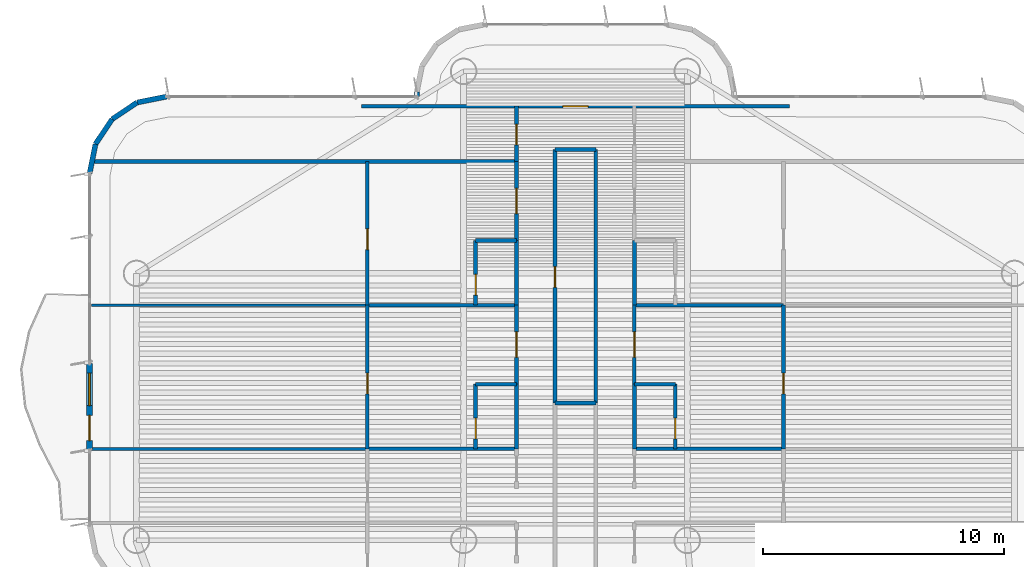
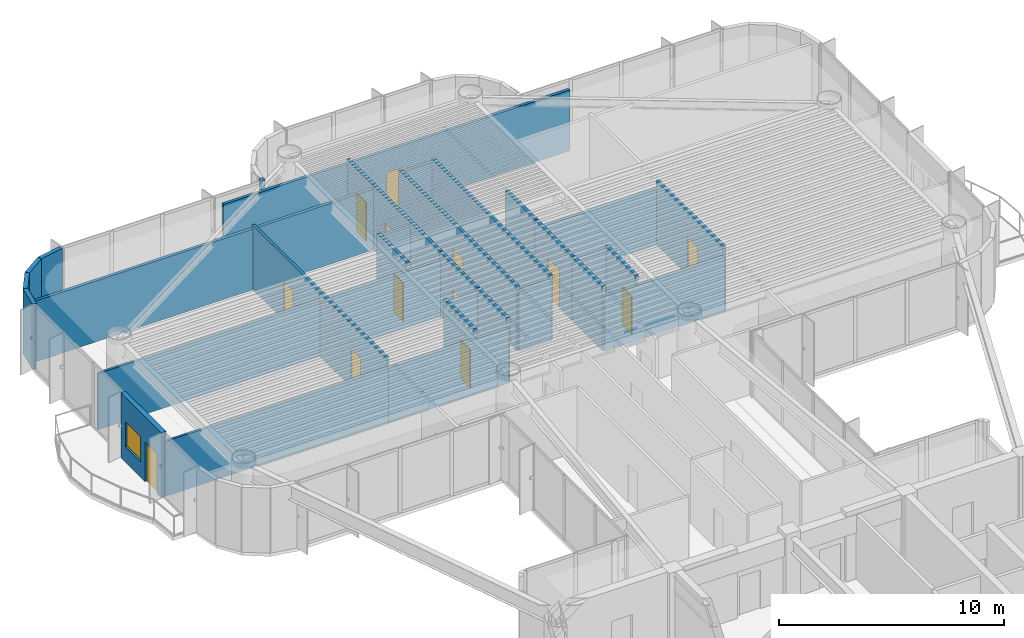
# One storey, part 11 of 15: 35 walls, 13 doors, 1 window, 14 openings.
"""IFC4 building model written with IfcOpenShell, lengths in metres."""

from ifc_helpers import new_model, si_unit, direction, frame, frame_2d, origin, origin_2d, place, context, subcontext, project, spatial, rectangle, extrude, source, transform, mapped, material, layer, layer_set, type_object, element, fill, save


model = new_model("IFC4")

# Units and contexts
model_context = context("Model", 3, precision=1e-05, world=origin(), true_north=direction((0.0, 1.0)))
body_context = subcontext(model_context, "Body", "Model", "MODEL_VIEW")
ifc_project = project(units=[si_unit("LENGTHUNIT", "METRE"), si_unit("AREAUNIT", "SQUARE_METRE"), si_unit("VOLUMEUNIT", "CUBIC_METRE"), si_unit("PLANEANGLEUNIT", "RADIAN"), si_unit("MASSUNIT", "GRAM", prefix="KILO")], contexts=[model_context])

# Site, building, storey
site_placement = place(None, origin())
site = spatial("IfcSite", under=ifc_project, at=site_placement, CompositionType="ELEMENT")
building_placement = place(site_placement, origin())
building = spatial("IfcBuilding", under=site, at=building_placement, Name="Brelvock Crest Care Tower", CompositionType="ELEMENT")
storey_placement = place(building_placement, frame((0.0, 0.0, 167.760009765625)))
storey = spatial("IfcBuildingStorey", under=building, at=storey_placement, Name="L42", CompositionType="ELEMENT", Elevation=167.760009765625)

# Wall, openings, door, window
ifc_material_1 = material(Name="Precast concrete N40 (40 MPa)", Category="concrete")
ifc_layer_1 = layer(ifc_material_1, 0.239990234375, Name="WL-EX1")
ifc_layer_set_1 = layer_set([ifc_layer_1], Name="Precast concrete N40 (40 MPa)")
wall_type_1 = type_object("IfcWallType", Name="WL-EX1", PredefinedType="SOLIDWALL", material=ifc_layer_set_1)
wall_1_placement = place(storey_placement, frame((15.800048828125, 38.699951171875, 0.0), z_axis=(0.0, 0.0, 1.0), x_axis=(0.0, 1.0, 0.0)))
wall_1 = element("IfcWall", 1, at=wall_1_placement, inside=storey, type_object=wall_type_1, Name="L42 Exterior Spandrel Wall WL-BAL-L42-W", PredefinedType="SOLIDWALL", context=body_context, shape_type="SweptSolid", body=[
    extrude(rectangle(XDim=3.60009765625, YDim=0.239990234375, at=frame_2d((1.800048828125, 0.0))), origin(), (0.0, 0.0, 1.0), 3.530029296875),
])
opening_1_placement = place(wall_1_placement, frame((0.39990234375, 0.0, 0.0)))
opening_1 = element("IfcOpeningElement", 2, at=opening_1_placement, cuts=wall_1, Name="Opening BD-1", PredefinedType="OPENING", context=body_context, shape_type="SweptSolid", body=[
    extrude(rectangle(XDim=1.050048828125, YDim=2.14990234375, at=origin_2d()), frame((0.52490234375, 0.1298828125, 1.074951171875), z_axis=(0.0, -1.0, 0.0), x_axis=(1.0, 0.0, 0.0)), (0.0, 0.0, 1.0), 0.260009765625),
])
opening_2_placement = place(wall_1_placement, frame((1.85009765625, 0.0, 0.85009765625)))
opening_2 = element("IfcOpeningElement", 3, at=opening_2_placement, cuts=wall_1, Name="Opening W-01", PredefinedType="OPENING", context=body_context, shape_type="SweptSolid", body=[
    extrude(rectangle(XDim=1.35009765625, YDim=1.35009765625, at=origin_2d()), frame((0.675048828125, 0.1298828125, 0.675048828125), z_axis=(0.0, -1.0, 0.0), x_axis=(1.0, 0.0, 0.0)), (0.0, 0.0, 1.0), 0.260009765625),
])
ifc_material_2 = material(Name="Dark Glass Double Glazed Low-E", Category="glass")
door_type_1 = type_object("IfcDoorType", Name="DR-BAL1", OperationType="NOTDEFINED", PredefinedType="DOOR", material=ifc_material_2)
shared_shape_1 = source(origin(), body_context, "Body", "SweptSolid", [
    extrude(rectangle(XDim=1.050048828125, YDim=2.14990234375, at=origin_2d()), frame((0.52490234375, 0.02490234375, 1.074951171875), z_axis=(0.0, -1.0, 0.0), x_axis=(1.0, 0.0, 0.0)), (0.0, 0.0, 1.0), 0.050048828125),
])
door_1_placement = place(opening_1_placement, origin())
door_1 = element("IfcDoor", 4, at=door_1_placement, inside=storey, type_object=door_type_1, Name="L42 W Wave Balcony Glazed Door", OperationType="SINGLE_SWING_LEFT", OverallHeight=2.14990234375, OverallWidth=1.050048828125, PredefinedType="DOOR", context=body_context, shape_type="MappedRepresentation", body=[
    mapped(shared_shape_1, transform((0.0, 0.0, 0.0), x_axis=(1.0, 0.0, 0.0), y_axis=(0.0, 1.0, 0.0), z_axis=(0.0, 0.0, 1.0), scale=1.0)),
])
fill(opening_1, door_1)
window_type = type_object("IfcWindowType", Name="WN-EX1", PartitioningType="SINGLE_PANEL", PredefinedType="WINDOW", material=ifc_material_2)
shared_shape_2 = source(origin(), body_context, "Body", "SweptSolid", [
    extrude(rectangle(XDim=1.35009765625, YDim=1.35009765625, at=origin_2d()), frame((0.675048828125, 0.030029296875, 0.675048828125), z_axis=(0.0, -1.0, 0.0), x_axis=(1.0, 0.0, 0.0)), (0.0, 0.0, 1.0), 0.06005859375),
])
window_placement = place(opening_2_placement, origin())
window = element("IfcWindow", 5, at=window_placement, inside=storey, type_object=window_type, Name="L42 W Suite Casement Window", OverallHeight=1.35009765625, OverallWidth=1.35009765625, PartitioningType="SINGLE_PANEL", PredefinedType="WINDOW", context=body_context, shape_type="MappedRepresentation", body=[
    mapped(shared_shape_2, transform((0.0, 0.0, 0.0), x_axis=(1.0, 0.0, 0.0), y_axis=(0.0, 1.0, 0.0), z_axis=(0.0, 0.0, 1.0), scale=1.0)),
])
fill(opening_2, window)

# Walls
ifc_layer_2 = layer(ifc_material_1, 0.215087890625, Name="WL-EX2")
ifc_layer_set_2 = layer_set([ifc_layer_2], Name="Precast concrete N40 (40 MPa)")
wall_type_2 = type_object("IfcWallType", Name="WL-EX2", PredefinedType="SOLIDWALL", material=ifc_layer_set_2)
for number, where, z_axis, x_axis, name in (
    (6, (15.800048828125, 50.199951171875, 0.0), (0.0, 0.0, 1.0), (0.195138390419, 0.980775717779, 0.0), "L42 Rounded Corner Wall 18"),
    (7, (16.043701171875, 51.424560546875, 0.0), (0.0, 0.0, 1.0), (0.555557312883, 0.831478245117, 0.0), "L42 Rounded Corner Wall 19"),
    (8, (16.7373046875, 52.462646484375, 0.0), (0.0, 0.0, 1.0), (0.831387912822, 0.555692485475, 0.0), "L42 Rounded Corner Wall 20"),
    (9, (17.775390625, 53.156494140625, 0.0), (0.0, 0.0, 1.0), (0.980813122964, 0.194950295773, 0.0), "L42 Rounded Corner Wall 21"),
):
    element("IfcWall", number, at=place(storey_placement, frame(where, z_axis=z_axis, x_axis=x_axis)), inside=storey, type_object=wall_type_2, Name=name, PredefinedType="SOLIDWALL", context=body_context, shape_type="SweptSolid", body=[
        extrude(rectangle(XDim=1.24853515625, YDim=0.215087890625, at=frame_2d((0.624267578125, 0.0))), origin(), (0.0, 0.0, 1.0), 3.530029296875),
    ])
wall_2_placement = place(storey_placement, frame((29.39990234375, 53.39990234375, 0.0), z_axis=(0.0, 0.0, 1.0), x_axis=(0.0, 1.0, 0.0)))
element("IfcWall", 10, at=wall_2_placement, inside=storey, type_object=wall_type_2, Name="L42 Rounded Corner Wall 23", PredefinedType="SOLIDWALL", context=body_context, shape_type="SweptSolid", body=[
    extrude(rectangle(XDim=0.2001953125, YDim=0.215087890625, at=frame_2d((0.10009765625, 0.0))), origin(), (0.0, 0.0, 1.0), 3.530029296875),
])
ifc_material_3 = material(Name="Masonry Blockwork Acoustic Partition", Category="masonry")
ifc_layer_3 = layer(ifc_material_3, 0.14990234375, Name="WL-INT1")
ifc_layer_set_3 = layer_set([ifc_layer_3], Name="Masonry Blockwork Acoustic Partition")
wall_type_3 = type_object("IfcWallType", Name="WL-INT1", PredefinedType="PARTITIONING", material=ifc_layer_set_3)
for number, where, z_axis, x_axis, name in (
    (11, (27.35009765625, 38.75390625, 0.0), (0.0, 0.0, 1.0), (1.0, 0.0, 0.0), "L42 Interior Wall WL-BX-L42-CS-WS1B-N"),
    (12, (38.449951171875, 38.75390625, 0.0), (0.0, 0.0, 1.0), (1.0, 0.0, 0.0), "L42 Interior Wall WL-BX-L42-CS-ES1B-N"),
):
    element("IfcWall", number, at=place(storey_placement, frame(where, z_axis=z_axis, x_axis=x_axis)), inside=storey, type_object=wall_type_3, Name=name, PredefinedType="PARTITIONING", context=body_context, shape_type="SweptSolid", body=[
        extrude(rectangle(XDim=6.199951171875, YDim=0.14990234375, at=frame_2d((3.10009765625, 0.0))), origin(), (0.0, 0.0, 1.0), 2.98193359375),
    ])
wall_3_placement = place(storey_placement, frame((35.14990234375, 40.659912109375, 0.0), z_axis=(0.0, 0.0, 1.0), x_axis=(1.0, 0.0, 0.0)))
element("IfcWall", 13, at=wall_3_placement, inside=storey, type_object=wall_type_3, Name="L42 Interior Wall WL-BX-L42-ISKT-S", PredefinedType="PARTITIONING", context=body_context, shape_type="SweptSolid", body=[
    extrude(rectangle(XDim=1.7001953125, YDim=0.14990234375, at=frame_2d((0.85009765625, 0.0))), origin(), (0.0, 0.0, 1.0), 3.259033203125),
])
for number, where, z_axis, x_axis, name in (
    (14, (27.35009765625, 44.72705078125, 0.0), (0.0, 0.0, 1.0), (1.0, 0.0, 0.0), "L42 Interior Wall WL-BX-L42-CS-WS2-N"),
    (15, (38.449951171875, 44.72705078125, 0.0), (0.0, 0.0, 1.0), (1.0, 0.0, 0.0), "L42 Interior Wall WL-BX-L42-CS-ES2-N"),
):
    element("IfcWall", number, at=place(storey_placement, frame(where, z_axis=z_axis, x_axis=x_axis)), inside=storey, type_object=wall_type_3, Name=name, PredefinedType="PARTITIONING", context=body_context, shape_type="SweptSolid", body=[
        extrude(rectangle(XDim=6.199951171875, YDim=0.14990234375, at=frame_2d((3.10009765625, 0.0))), origin(), (0.0, 0.0, 1.0), 3.054931640625),
    ])
wall_4_placement = place(storey_placement, frame((15.98095703125, 50.699951171875, 0.0), z_axis=(0.0, 0.0, 1.0), x_axis=(1.0, 0.0, 0.0)))
element("IfcWall", 16, at=wall_4_placement, inside=storey, type_object=wall_type_3, Name="L42 Interior Wall WL-BX-L42-NALW-S", PredefinedType="PARTITIONING", context=body_context, shape_type="SweptSolid", body=[
    extrude(rectangle(XDim=17.569091796875, YDim=0.14990234375, at=frame_2d((8.78466796875, 0.0))), origin(), (0.0, 0.0, 1.0), 3.30810546875),
])
wall_5_placement = place(storey_placement, frame((35.14990234375, 51.199951171875, 0.0), z_axis=(0.0, 0.0, 1.0), x_axis=(1.0, 0.0, 0.0)))
element("IfcWall", 17, at=wall_5_placement, inside=storey, type_object=wall_type_3, Name="L42 Interior Wall WL-BX-L42-ISKT-N", PredefinedType="PARTITIONING", context=body_context, shape_type="SweptSolid", body=[
    extrude(rectangle(XDim=1.7001953125, YDim=0.14990234375, at=frame_2d((0.85009765625, 0.0))), origin(), (0.0, 0.0, 1.0), 3.30810546875),
])

# Wall, opening, door
wall_6_placement = place(storey_placement, frame((27.10009765625, 53.0, 0.0), z_axis=(0.0, 0.0, 1.0), x_axis=(1.0, 0.0, 0.0)))
wall_6 = element("IfcWall", 18, at=wall_6_placement, inside=storey, type_object=wall_type_3, Name="L42 Interior Wall WL-RM-L42-NHUB", PredefinedType="PARTITIONING", context=body_context, shape_type="SweptSolid", body=[
    extrude(rectangle(XDim=17.7998046875, YDim=0.14990234375, at=frame_2d((8.89990234375, 0.0))), origin(), (0.0, 0.0, 1.0), 3.30810546875),
])
opening_3_placement = place(wall_6_placement, frame((8.375, 0.0, 0.0)))
opening_3 = element("IfcOpeningElement", 19, at=opening_3_placement, cuts=wall_6, Name="Opening CLD-1", PredefinedType="OPENING", context=body_context, shape_type="SweptSolid", body=[
    extrude(rectangle(XDim=1.050048828125, YDim=2.10009765625, at=origin_2d()), frame((0.52490234375, 0.0849609375, 1.050048828125), z_axis=(0.0, -1.0, 0.0), x_axis=(1.0, 0.0, 0.0)), (0.0, 0.0, 1.0), 0.169921875),
])
ifc_material_4 = material(Name="Engineered Hardwood Timber", Category="wood")
door_type_2 = type_object("IfcDoorType", Name="DR-CLN1", OperationType="NOTDEFINED", PredefinedType="DOOR", material=ifc_material_4)
shared_shape_3 = source(origin(), body_context, "Body", "SweptSolid", [
    extrude(rectangle(XDim=1.050048828125, YDim=2.10009765625, at=origin_2d()), frame((0.52490234375, 0.02490234375, 1.050048828125), z_axis=(0.0, -1.0, 0.0), x_axis=(1.0, 0.0, 0.0)), (0.0, 0.0, 1.0), 0.050048828125),
])
door_2_placement = place(opening_3_placement, origin())
door_2 = element("IfcDoor", 20, at=door_2_placement, inside=storey, type_object=door_type_2, Name="L42 Harbour Lookout Dining Salon Door NHUB", OperationType="SINGLE_SWING_LEFT", OverallHeight=2.10009765625, OverallWidth=1.050048828125, PredefinedType="DOOR", context=body_context, shape_type="MappedRepresentation", body=[
    mapped(shared_shape_3, transform((0.0, 0.0, 0.0), x_axis=(1.0, 0.0, 0.0), y_axis=(0.0, 1.0, 0.0), z_axis=(0.0, 0.0, 1.0), scale=1.0)),
])
fill(opening_3, door_2)

wall_7_placement = place(storey_placement, frame((27.35009765625, 38.75390625, 0.0), z_axis=(0.0, 0.0, 1.0), x_axis=(0.0, 1.0, 0.0)))
wall_7 = element("IfcWall", 21, at=wall_7_placement, inside=storey, type_object=wall_type_3, Name="L42 Interior Wall WL-RM-L42-WS2S", PredefinedType="PARTITIONING", context=body_context, shape_type="SweptSolid", body=[
    extrude(rectangle(XDim=5.97314453125, YDim=0.14990234375, at=frame_2d((2.986572265625, 0.0))), origin(), (0.0, 0.0, 1.0), 3.5),
])
opening_4_placement = place(wall_7_placement, frame((2.285888671875, 0.0, 0.0)))
opening_4 = element("IfcOpeningElement", 22, at=opening_4_placement, cuts=wall_7, Name="Opening ID-1", PredefinedType="OPENING", context=body_context, shape_type="SweptSolid", body=[
    extrude(rectangle(XDim=0.860107421875, YDim=2.10009765625, at=origin_2d()), frame((0.43017578125, 0.0849609375, 1.050048828125), z_axis=(0.0, -1.0, 0.0), x_axis=(1.0, 0.0, 0.0)), (0.0, 0.0, 1.0), 0.169921875),
])
door_type_3 = type_object("IfcDoorType", Name="DR-INT1", OperationType="NOTDEFINED", PredefinedType="DOOR", material=ifc_material_4)
shared_shape_4 = source(origin(), body_context, "Body", "SweptSolid", [
    extrude(rectangle(XDim=0.860107421875, YDim=2.10009765625, at=origin_2d()), frame((0.43017578125, 0.02490234375, 1.050048828125), z_axis=(0.0, -1.0, 0.0), x_axis=(1.0, 0.0, 0.0)), (0.0, 0.0, 1.0), 0.050048828125),
])
door_3_placement = place(opening_4_placement, origin())
door_3 = element("IfcDoor", 23, at=door_3_placement, inside=storey, type_object=door_type_3, Name="L42 Assisted Care Mobility Store Door WS2S", OperationType="SINGLE_SWING_LEFT", OverallHeight=2.10009765625, OverallWidth=0.860107421875, PredefinedType="DOOR", context=body_context, shape_type="MappedRepresentation", body=[
    mapped(shared_shape_4, transform((0.0, 0.0, 0.0), x_axis=(1.0, 0.0, 0.0), y_axis=(0.0, 1.0, 0.0), z_axis=(0.0, 0.0, 1.0), scale=1.0)),
])
fill(opening_4, door_3)

wall_8_placement = place(storey_placement, frame((27.35009765625, 44.72705078125, 0.0), z_axis=(0.0, 0.0, 1.0), x_axis=(0.0, 1.0, 0.0)))
wall_8 = element("IfcWall", 24, at=wall_8_placement, inside=storey, type_object=wall_type_3, Name="L42 Interior Wall WL-RM-L42-WS3S", PredefinedType="PARTITIONING", context=body_context, shape_type="SweptSolid", body=[
    extrude(rectangle(XDim=5.972900390625, YDim=0.14990234375, at=frame_2d((2.986328125, 0.0))), origin(), (0.0, 0.0, 1.0), 3.5),
])
opening_5_placement = place(wall_8_placement, frame((2.31298828125, 0.0, 0.0)))
opening_5 = element("IfcOpeningElement", 25, at=opening_5_placement, cuts=wall_8, Name="Opening ID-1", PredefinedType="OPENING", context=body_context, shape_type="SweptSolid", body=[
    extrude(rectangle(XDim=0.860107421875, YDim=2.10009765625, at=origin_2d()), frame((0.43017578125, 0.0849609375, 1.050048828125), z_axis=(0.0, -1.0, 0.0), x_axis=(1.0, 0.0, 0.0)), (0.0, 0.0, 1.0), 0.169921875),
])
door_4_placement = place(opening_5_placement, origin())
door_4 = element("IfcDoor", 26, at=door_4_placement, inside=storey, type_object=door_type_3, Name="L42 Assisted Care Mobility Store Door WS3S", OperationType="SINGLE_SWING_LEFT", OverallHeight=2.10009765625, OverallWidth=0.860107421875, PredefinedType="DOOR", context=body_context, shape_type="MappedRepresentation", body=[
    mapped(shared_shape_4, transform((0.0, 0.0, 0.0), x_axis=(1.0, 0.0, 0.0), y_axis=(0.0, 1.0, 0.0), z_axis=(0.0, 0.0, 1.0), scale=1.0)),
])
fill(opening_5, door_4)

wall_9_placement = place(storey_placement, frame((33.550048828125, 41.44189453125, 0.0), z_axis=(0.0, 0.0, 1.0), x_axis=(0.0, 1.0, 0.0)))
wall_9 = element("IfcWall", 27, at=wall_9_placement, inside=storey, type_object=wall_type_3, Name="L42 Interior Wall WL-CENT-L42-WS2", PredefinedType="PARTITIONING", context=body_context, shape_type="SweptSolid", body=[
    extrude(rectangle(XDim=3.28515625, YDim=0.14990234375, at=frame_2d((1.642578125, 0.0))), origin(), (0.0, 0.0, 1.0), 3.5),
])
opening_6_placement = place(wall_9_placement, frame((1.1220703125, 0.0, 0.0)))
opening_6 = element("IfcOpeningElement", 28, at=opening_6_placement, cuts=wall_9, Name="Opening CD-1", PredefinedType="OPENING", context=body_context, shape_type="SweptSolid", body=[
    extrude(rectangle(XDim=1.050048828125, YDim=2.10009765625, at=origin_2d()), frame((0.52490234375, 0.0849609375, 1.050048828125), z_axis=(0.0, -1.0, 0.0), x_axis=(1.0, 0.0, 0.0)), (0.0, 0.0, 1.0), 0.169921875),
])
door_type_4 = type_object("IfcDoorType", Name="DR-CARE1", OperationType="NOTDEFINED", PredefinedType="DOOR", material=ifc_material_4)
shared_shape_5 = source(origin(), body_context, "Body", "SweptSolid", [
    extrude(rectangle(XDim=1.050048828125, YDim=2.10009765625, at=origin_2d()), frame((0.52490234375, 0.02490234375, 1.050048828125), z_axis=(0.0, -1.0, 0.0), x_axis=(1.0, 0.0, 0.0)), (0.0, 0.0, 1.0), 0.050048828125),
])
door_5_placement = place(opening_6_placement, origin())
door_5 = element("IfcDoor", 29, at=door_5_placement, inside=storey, type_object=door_type_4, Name="L42 Care Suite Door WS2", OperationType="SINGLE_SWING_LEFT", OverallHeight=2.10009765625, OverallWidth=1.050048828125, PredefinedType="DOOR", context=body_context, shape_type="MappedRepresentation", body=[
    mapped(shared_shape_5, transform((0.0, 0.0, 0.0), x_axis=(1.0, 0.0, 0.0), y_axis=(0.0, 1.0, 0.0), z_axis=(0.0, 0.0, 1.0), scale=1.0)),
])
fill(opening_6, door_5)

wall_10_placement = place(storey_placement, frame((33.550048828125, 47.4150390625, 0.0), z_axis=(0.0, 0.0, 1.0), x_axis=(0.0, 1.0, 0.0)))
wall_10 = element("IfcWall", 30, at=wall_10_placement, inside=storey, type_object=wall_type_3, Name="L42 Interior Wall WL-CENT-L42-WS3", PredefinedType="PARTITIONING", context=body_context, shape_type="SweptSolid", body=[
    extrude(rectangle(XDim=3.284912109375, YDim=0.14990234375, at=frame_2d((1.642578125, 0.0))), origin(), (0.0, 0.0, 1.0), 3.5),
])
opening_7_placement = place(wall_10_placement, frame((1.123046875, 0.0, 0.0)))
opening_7 = element("IfcOpeningElement", 31, at=opening_7_placement, cuts=wall_10, Name="Opening CD-1", PredefinedType="OPENING", context=body_context, shape_type="SweptSolid", body=[
    extrude(rectangle(XDim=1.050048828125, YDim=2.10009765625, at=origin_2d()), frame((0.52490234375, 0.0849609375, 1.050048828125), z_axis=(0.0, -1.0, 0.0), x_axis=(1.0, 0.0, 0.0)), (0.0, 0.0, 1.0), 0.169921875),
])
door_6_placement = place(opening_7_placement, origin())
door_6 = element("IfcDoor", 32, at=door_6_placement, inside=storey, type_object=door_type_4, Name="L42 Care Suite Door WS3", OperationType="SINGLE_SWING_LEFT", OverallHeight=2.10009765625, OverallWidth=1.050048828125, PredefinedType="DOOR", context=body_context, shape_type="MappedRepresentation", body=[
    mapped(shared_shape_5, transform((0.0, 0.0, 0.0), x_axis=(1.0, 0.0, 0.0), y_axis=(0.0, 1.0, 0.0), z_axis=(0.0, 0.0, 1.0), scale=1.0)),
])
fill(opening_7, door_6)

wall_11_placement = place(storey_placement, frame((33.550048828125, 50.699951171875, 0.0), z_axis=(0.0, 0.0, 1.0), x_axis=(0.0, 1.0, 0.0)))
wall_11 = element("IfcWall", 33, at=wall_11_placement, inside=storey, type_object=wall_type_3, Name="L42 Interior Wall WL-RM-L42-NALW", PredefinedType="PARTITIONING", context=body_context, shape_type="SweptSolid", body=[
    extrude(rectangle(XDim=2.300048828125, YDim=0.14990234375, at=frame_2d((1.14990234375, 0.0))), origin(), (0.0, 0.0, 1.0), 3.5),
])
opening_8_placement = place(wall_11_placement, frame((0.68994140625, 0.0, 0.0)))
opening_8 = element("IfcOpeningElement", 34, at=opening_8_placement, cuts=wall_11, Name="Opening ID-1", PredefinedType="OPENING", context=body_context, shape_type="SweptSolid", body=[
    extrude(rectangle(XDim=0.860107421875, YDim=2.10009765625, at=origin_2d()), frame((0.43017578125, 0.0849609375, 1.050048828125), z_axis=(0.0, -1.0, 0.0), x_axis=(1.0, 0.0, 0.0)), (0.0, 0.0, 1.0), 0.169921875),
])
door_7_placement = place(opening_8_placement, origin())
door_7 = element("IfcDoor", 35, at=door_7_placement, inside=storey, type_object=door_type_3, Name="L42 North West Sun Alcove Door NALW", OperationType="SINGLE_SWING_LEFT", OverallHeight=2.10009765625, OverallWidth=0.860107421875, PredefinedType="DOOR", context=body_context, shape_type="MappedRepresentation", body=[
    mapped(shared_shape_4, transform((0.0, 0.0, 0.0), x_axis=(1.0, 0.0, 0.0), y_axis=(0.0, 1.0, 0.0), z_axis=(0.0, 0.0, 1.0), scale=1.0)),
])
fill(opening_8, door_7)

wall_12_placement = place(storey_placement, frame((35.14990234375, 40.659912109375, 0.0), z_axis=(0.0, 0.0, 1.0), x_axis=(0.0, 1.0, 0.0)))
wall_12 = element("IfcWall", 36, at=wall_12_placement, inside=storey, type_object=wall_type_3, Name="L42 Interior Wall WL-RM-L42-ISKT", PredefinedType="PARTITIONING", context=body_context, shape_type="SweptSolid", body=[
    extrude(rectangle(XDim=10.5400390625, YDim=0.14990234375, at=frame_2d((5.27001953125, 0.0))), origin(), (0.0, 0.0, 1.0), 3.5),
])
opening_9_placement = place(wall_12_placement, frame((4.81005859375, 0.0, 0.0)))
opening_9 = element("IfcOpeningElement", 37, at=opening_9_placement, cuts=wall_12, Name="Opening ID-1", PredefinedType="OPENING", context=body_context, shape_type="SweptSolid", body=[
    extrude(rectangle(XDim=0.860107421875, YDim=2.10009765625, at=origin_2d()), frame((0.43017578125, 0.0849609375, 1.050048828125), z_axis=(0.0, -1.0, 0.0), x_axis=(1.0, 0.0, 0.0)), (0.0, 0.0, 1.0), 0.169921875),
])
door_8_placement = place(opening_9_placement, origin())
door_8 = element("IfcDoor", 38, at=door_8_placement, inside=storey, type_object=door_type_3, Name="L42 Communal Tea and Nutrition Pantry Door ISKT", OperationType="SINGLE_SWING_LEFT", OverallHeight=2.10009765625, OverallWidth=0.860107421875, PredefinedType="DOOR", context=body_context, shape_type="MappedRepresentation", body=[
    mapped(shared_shape_4, transform((0.0, 0.0, 0.0), x_axis=(1.0, 0.0, 0.0), y_axis=(0.0, 1.0, 0.0), z_axis=(0.0, 0.0, 1.0), scale=1.0)),
])
fill(opening_9, door_8)

# Wall
wall_13_placement = place(storey_placement, frame((36.85009765625, 40.659912109375, 0.0), z_axis=(0.0, 0.0, 1.0), x_axis=(0.0, 1.0, 0.0)))
element("IfcWall", 39, at=wall_13_placement, inside=storey, type_object=wall_type_3, Name="L42 Interior Wall WL-BX-L42-ISKT-E", PredefinedType="PARTITIONING", context=body_context, shape_type="SweptSolid", body=[
    extrude(rectangle(XDim=10.5400390625, YDim=0.14990234375, at=frame_2d((5.27001953125, 0.0))), origin(), (0.0, 0.0, 1.0), 3.5),
])

# Wall, opening, door
wall_14_placement = place(storey_placement, frame((38.449951171875, 41.44189453125, 0.0), z_axis=(0.0, 0.0, 1.0), x_axis=(0.0, 1.0, 0.0)))
wall_14 = element("IfcWall", 40, at=wall_14_placement, inside=storey, type_object=wall_type_3, Name="L42 Interior Wall WL-CENT-L42-ES2", PredefinedType="PARTITIONING", context=body_context, shape_type="SweptSolid", body=[
    extrude(rectangle(XDim=3.28515625, YDim=0.14990234375, at=frame_2d((1.642578125, 0.0))), origin(), (0.0, 0.0, 1.0), 3.5),
])
opening_10_placement = place(wall_14_placement, frame((1.1220703125, 0.0, 0.0)))
opening_10 = element("IfcOpeningElement", 41, at=opening_10_placement, cuts=wall_14, Name="Opening CD-1", PredefinedType="OPENING", context=body_context, shape_type="SweptSolid", body=[
    extrude(rectangle(XDim=1.050048828125, YDim=2.10009765625, at=origin_2d()), frame((0.52490234375, 0.0849609375, 1.050048828125), z_axis=(0.0, -1.0, 0.0), x_axis=(1.0, 0.0, 0.0)), (0.0, 0.0, 1.0), 0.169921875),
])
door_9_placement = place(opening_10_placement, origin())
door_9 = element("IfcDoor", 42, at=door_9_placement, inside=storey, type_object=door_type_4, Name="L42 Care Suite Door ES2", OperationType="SINGLE_SWING_LEFT", OverallHeight=2.10009765625, OverallWidth=1.050048828125, PredefinedType="DOOR", context=body_context, shape_type="MappedRepresentation", body=[
    mapped(shared_shape_5, transform((0.0, 0.0, 0.0), x_axis=(1.0, 0.0, 0.0), y_axis=(0.0, 1.0, 0.0), z_axis=(0.0, 0.0, 1.0), scale=1.0)),
])
fill(opening_10, door_9)

wall_15_placement = place(storey_placement, frame((44.64990234375, 38.75390625, 0.0), z_axis=(0.0, 0.0, 1.0), x_axis=(0.0, 1.0, 0.0)))
wall_15 = element("IfcWall", 43, at=wall_15_placement, inside=storey, type_object=wall_type_3, Name="L42 Interior Wall WL-RM-L42-ES2S", PredefinedType="PARTITIONING", context=body_context, shape_type="SweptSolid", body=[
    extrude(rectangle(XDim=5.97314453125, YDim=0.14990234375, at=frame_2d((2.986572265625, 0.0))), origin(), (0.0, 0.0, 1.0), 3.5),
])
opening_11_placement = place(wall_15_placement, frame((2.285888671875, 0.0, 0.0)))
opening_11 = element("IfcOpeningElement", 44, at=opening_11_placement, cuts=wall_15, Name="Opening ID-1", PredefinedType="OPENING", context=body_context, shape_type="SweptSolid", body=[
    extrude(rectangle(XDim=0.860107421875, YDim=2.10009765625, at=origin_2d()), frame((0.43017578125, 0.0849609375, 1.050048828125), z_axis=(0.0, -1.0, 0.0), x_axis=(1.0, 0.0, 0.0)), (0.0, 0.0, 1.0), 0.169921875),
])
door_10_placement = place(opening_11_placement, origin())
door_10 = element("IfcDoor", 45, at=door_10_placement, inside=storey, type_object=door_type_3, Name="L42 Assisted Care Mobility Store Door ES2S", OperationType="SINGLE_SWING_LEFT", OverallHeight=2.10009765625, OverallWidth=0.860107421875, PredefinedType="DOOR", context=body_context, shape_type="MappedRepresentation", body=[
    mapped(shared_shape_4, transform((0.0, 0.0, 0.0), x_axis=(1.0, 0.0, 0.0), y_axis=(0.0, 1.0, 0.0), z_axis=(0.0, 0.0, 1.0), scale=1.0)),
])
fill(opening_11, door_10)

# Walls
ifc_material_5 = material(Name="Gypsum Plasterboard Partition", Category="gypsum")
ifc_layer_4 = layer(ifc_material_5, 0.1201171875, Name="WL-INT2")
ifc_layer_set_4 = layer_set([ifc_layer_4], Name="Gypsum Plasterboard Partition")
wall_type_4 = type_object("IfcWallType", Name="WL-INT2", PredefinedType="PARTITIONING", material=ifc_layer_set_4)
wall_16_placement = place(storey_placement, frame((15.8798828125, 38.75390625, 0.0), z_axis=(0.0, 0.0, 1.0), x_axis=(1.0, 0.0, 0.0)))
element("IfcWall", 46, at=wall_16_placement, inside=storey, type_object=wall_type_4, Name="L42 Interior Wall WL-BX-L42-WS1BS-N", PredefinedType="PARTITIONING", context=body_context, shape_type="SweptSolid", body=[
    extrude(rectangle(XDim=11.47021484375, YDim=0.1201171875, at=frame_2d((5.735107421875, 0.0))), origin(), (0.0, 0.0, 1.0), 2.98193359375),
])
wall_17_placement = place(storey_placement, frame((15.8798828125, 44.72705078125, 0.0), z_axis=(0.0, 0.0, 1.0), x_axis=(1.0, 0.0, 0.0)))
element("IfcWall", 47, at=wall_17_placement, inside=storey, type_object=wall_type_4, Name="L42 Interior Wall WL-BX-L42-WS2S-N", PredefinedType="PARTITIONING", context=body_context, shape_type="SweptSolid", body=[
    extrude(rectangle(XDim=11.47021484375, YDim=0.1201171875, at=frame_2d((5.735107421875, 0.0))), origin(), (0.0, 0.0, 1.0), 3.054931640625),
])
ifc_layer_5 = layer(ifc_material_5, 0.159912109375, Name="WL-PLM1")
ifc_layer_set_5 = layer_set([ifc_layer_5], Name="Gypsum Plasterboard Partition")
wall_type_5 = type_object("IfcWallType", Name="WL-PLM1", PredefinedType="PLUMBINGWALL", material=ifc_layer_set_5)
for number, where, z_axis, x_axis, name in (
    (48, (31.85009765625, 41.44189453125, 0.0), (0.0, 0.0, 1.0), (1.0, 0.0, 0.0), "L42 Interior Wall WL-CENS2-L42-WS2"),
    (49, (38.449951171875, 41.44189453125, 0.0), (0.0, 0.0, 1.0), (1.0, 0.0, 0.0), "L42 Interior Wall WL-CENS2-L42-ES2"),
    (50, (31.85009765625, 47.4150390625, 0.0), (0.0, 0.0, 1.0), (1.0, 0.0, 0.0), "L42 Interior Wall WL-CENS2-L42-WS3"),
):
    element("IfcWall", number, at=place(storey_placement, frame(where, z_axis=z_axis, x_axis=x_axis)), inside=storey, type_object=wall_type_5, Name=name, PredefinedType="PLUMBINGWALL", context=body_context, shape_type="SweptSolid", body=[
        extrude(rectangle(XDim=1.699951171875, YDim=0.159912109375, at=frame_2d((0.85009765625, 0.0))), origin(), (0.0, 0.0, 1.0), 3.259033203125),
    ])

# Wall, opening, door
wall_18_placement = place(storey_placement, frame((31.85009765625, 38.75390625, 0.0), z_axis=(0.0, 0.0, 1.0), x_axis=(0.0, 1.0, 0.0)))
wall_18 = element("IfcWall", 51, at=wall_18_placement, inside=storey, type_object=wall_type_5, Name="L42 Interior Wall WL-CENS1-L42-WS2", PredefinedType="PLUMBINGWALL", context=body_context, shape_type="SweptSolid", body=[
    extrude(rectangle(XDim=2.68798828125, YDim=0.159912109375, at=frame_2d((1.343994140625, 0.0))), origin(), (0.0, 0.0, 1.0), 3.5),
])
opening_12_placement = place(wall_18_placement, frame((0.419921875, 0.0, 0.0)))
opening_12 = element("IfcOpeningElement", 52, at=opening_12_placement, cuts=wall_18, Name="Opening WD-1", PredefinedType="OPENING", context=body_context, shape_type="SweptSolid", body=[
    extrude(rectangle(XDim=0.860107421875, YDim=2.10009765625, at=origin_2d()), frame((0.43017578125, 0.08984375, 1.050048828125), z_axis=(0.0, -1.0, 0.0), x_axis=(1.0, 0.0, 0.0)), (0.0, 0.0, 1.0), 0.179931640625),
])
door_type_5 = type_object("IfcDoorType", Name="DR-WC1", OperationType="NOTDEFINED", PredefinedType="DOOR", material=ifc_material_4)
shared_shape_6 = source(origin(), body_context, "Body", "SweptSolid", [
    extrude(rectangle(XDim=0.860107421875, YDim=2.10009765625, at=origin_2d()), frame((0.43017578125, 0.02490234375, 1.050048828125), z_axis=(0.0, -1.0, 0.0), x_axis=(1.0, 0.0, 0.0)), (0.0, 0.0, 1.0), 0.050048828125),
])
door_11_placement = place(opening_12_placement, origin())
door_11 = element("IfcDoor", 53, at=door_11_placement, inside=storey, type_object=door_type_5, Name="L42 Care En-Suite Door WS2", OperationType="SINGLE_SWING_LEFT", OverallHeight=2.10009765625, OverallWidth=0.860107421875, PredefinedType="DOOR", context=body_context, shape_type="MappedRepresentation", body=[
    mapped(shared_shape_6, transform((0.0, 0.0, 0.0), x_axis=(1.0, 0.0, 0.0), y_axis=(0.0, 1.0, 0.0), z_axis=(0.0, 0.0, 1.0), scale=1.0)),
])
fill(opening_12, door_11)

wall_19_placement = place(storey_placement, frame((31.85009765625, 44.72705078125, 0.0), z_axis=(0.0, 0.0, 1.0), x_axis=(0.0, 1.0, 0.0)))
wall_19 = element("IfcWall", 54, at=wall_19_placement, inside=storey, type_object=wall_type_5, Name="L42 Interior Wall WL-CENS1-L42-WS3", PredefinedType="PLUMBINGWALL", context=body_context, shape_type="SweptSolid", body=[
    extrude(rectangle(XDim=2.68798828125, YDim=0.159912109375, at=frame_2d((1.343994140625, 0.0))), origin(), (0.0, 0.0, 1.0), 3.5),
])
opening_13_placement = place(wall_19_placement, frame((0.419921875, 0.0, 0.0)))
opening_13 = element("IfcOpeningElement", 55, at=opening_13_placement, cuts=wall_19, Name="Opening WD-1", PredefinedType="OPENING", context=body_context, shape_type="SweptSolid", body=[
    extrude(rectangle(XDim=0.860107421875, YDim=2.10009765625, at=origin_2d()), frame((0.43017578125, 0.08984375, 1.050048828125), z_axis=(0.0, -1.0, 0.0), x_axis=(1.0, 0.0, 0.0)), (0.0, 0.0, 1.0), 0.179931640625),
])
door_12_placement = place(opening_13_placement, origin())
door_12 = element("IfcDoor", 56, at=door_12_placement, inside=storey, type_object=door_type_5, Name="L42 Care En-Suite Door WS3", OperationType="SINGLE_SWING_LEFT", OverallHeight=2.10009765625, OverallWidth=0.860107421875, PredefinedType="DOOR", context=body_context, shape_type="MappedRepresentation", body=[
    mapped(shared_shape_6, transform((0.0, 0.0, 0.0), x_axis=(1.0, 0.0, 0.0), y_axis=(0.0, 1.0, 0.0), z_axis=(0.0, 0.0, 1.0), scale=1.0)),
])
fill(opening_13, door_12)

# Walls
for number, where, z_axis, x_axis, name in (
    (57, (33.550048828125, 38.75390625, 0.0), (0.0, 0.0, 1.0), (0.0, 1.0, 0.0), "L42 Interior Wall WL-CENS0-L42-WS2"),
    (58, (33.550048828125, 44.72705078125, 0.0), (0.0, 0.0, 1.0), (0.0, 1.0, 0.0), "L42 Interior Wall WL-CENS0-L42-WS3"),
    (59, (38.449951171875, 38.75390625, 0.0), (0.0, 0.0, 1.0), (0.0, 1.0, 0.0), "L42 Interior Wall WL-CENS0-L42-ES2"),
    (60, (38.449951171875, 44.72705078125, 0.0), (0.0, 0.0, 1.0), (0.0, 1.0, 0.0), "L42 Interior Wall WL-CENS0-L42-ES3"),
):
    element("IfcWall", number, at=place(storey_placement, frame(where, z_axis=z_axis, x_axis=x_axis)), inside=storey, type_object=wall_type_5, Name=name, PredefinedType="PLUMBINGWALL", context=body_context, shape_type="SweptSolid", body=[
        extrude(rectangle(XDim=2.68798828125, YDim=0.159912109375, at=frame_2d((1.343994140625, 0.0))), origin(), (0.0, 0.0, 1.0), 3.5),
    ])

# Wall, opening, door
wall_20_placement = place(storey_placement, frame((40.14990234375, 38.75390625, 0.0), z_axis=(0.0, 0.0, 1.0), x_axis=(0.0, 1.0, 0.0)))
wall_20 = element("IfcWall", 61, at=wall_20_placement, inside=storey, type_object=wall_type_5, Name="L42 Interior Wall WL-CENS1-L42-ES2", PredefinedType="PLUMBINGWALL", context=body_context, shape_type="SweptSolid", body=[
    extrude(rectangle(XDim=2.68798828125, YDim=0.159912109375, at=frame_2d((1.343994140625, 0.0))), origin(), (0.0, 0.0, 1.0), 3.5),
])
opening_14_placement = place(wall_20_placement, frame((0.419921875, 0.0, 0.0)))
opening_14 = element("IfcOpeningElement", 62, at=opening_14_placement, cuts=wall_20, Name="Opening WD-1", PredefinedType="OPENING", context=body_context, shape_type="SweptSolid", body=[
    extrude(rectangle(XDim=0.860107421875, YDim=2.10009765625, at=origin_2d()), frame((0.43017578125, 0.08984375, 1.050048828125), z_axis=(0.0, -1.0, 0.0), x_axis=(1.0, 0.0, 0.0)), (0.0, 0.0, 1.0), 0.179931640625),
])
door_13_placement = place(opening_14_placement, origin())
door_13 = element("IfcDoor", 63, at=door_13_placement, inside=storey, type_object=door_type_5, Name="L42 Care En-Suite Door ES2", OperationType="SINGLE_SWING_RIGHT", OverallHeight=2.10009765625, OverallWidth=0.860107421875, PredefinedType="DOOR", context=body_context, shape_type="MappedRepresentation", body=[
    mapped(shared_shape_6, transform((0.0, 0.0, 0.0), x_axis=(1.0, 0.0, 0.0), y_axis=(0.0, 1.0, 0.0), z_axis=(0.0, 0.0, 1.0), scale=1.0)),
])
fill(opening_14, door_13)

save(model, "model.ifc")
